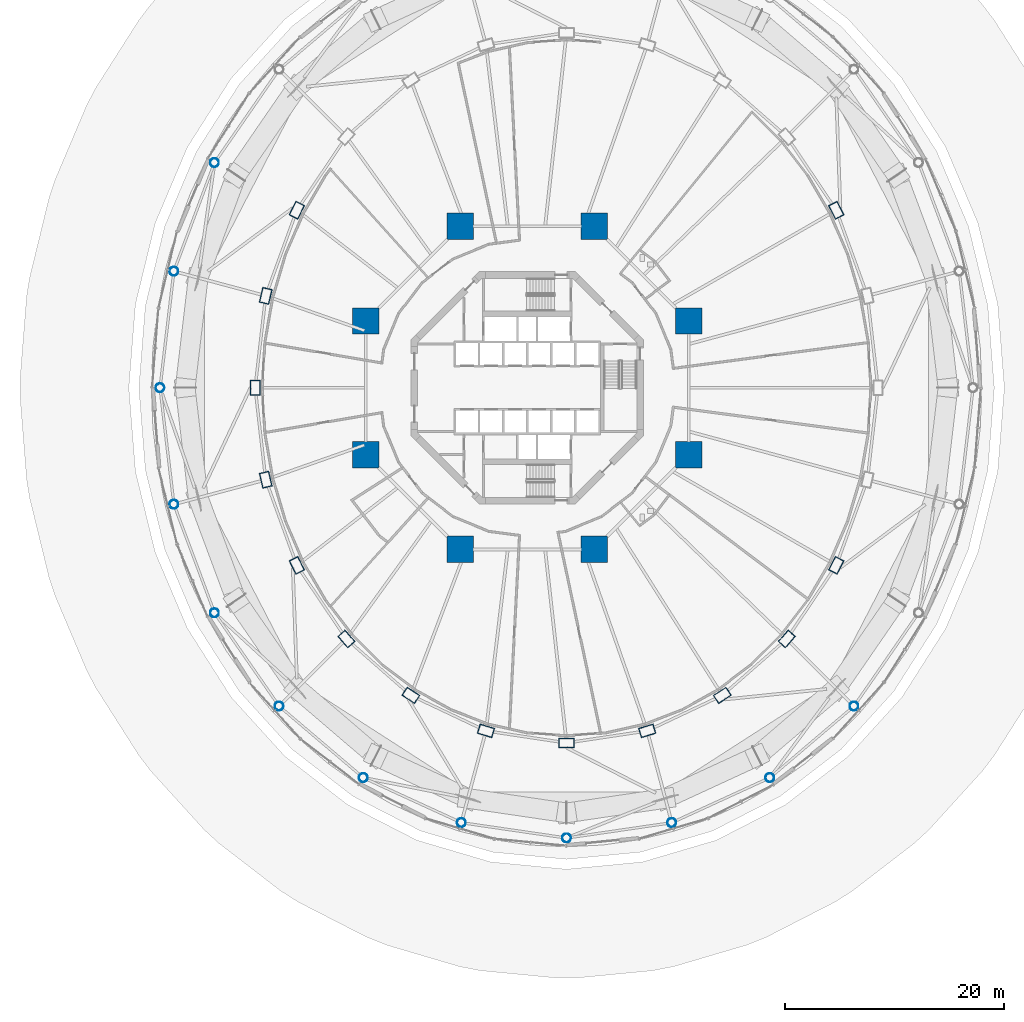
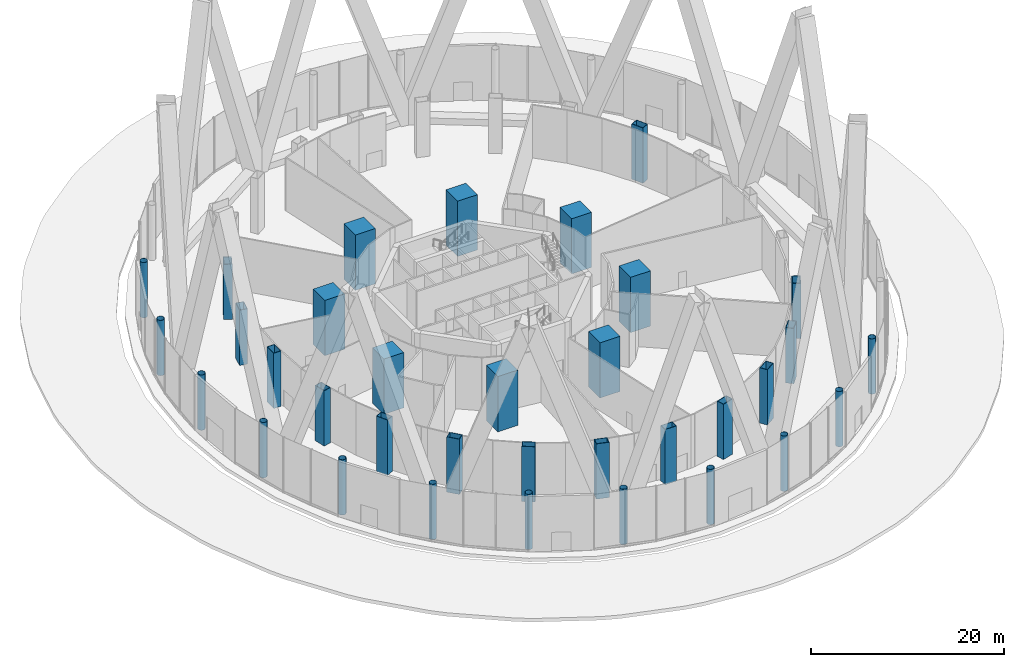
# One storey, part 1 of 67: 34 columns.
"""IFC4 building model written with IfcOpenShell, lengths in metres."""

from ifc_helpers import new_model, si_unit, direction, frame, origin, origin_2d, place, context, subcontext, project, spatial, rectangle, hollow_rectangle, hollow_circle, extrude, material, material_profile, profile_set, type_object, element, save


model = new_model("IFC4")

# Units and contexts
model_context = context("Model", 3, precision=1e-05, world=origin(), true_north=direction((0.0, 1.0)))
body_context = subcontext(model_context, "Body", "Model", "MODEL_VIEW")
ifc_project = project(units=[si_unit("LENGTHUNIT", "METRE"), si_unit("AREAUNIT", "SQUARE_METRE"), si_unit("VOLUMEUNIT", "CUBIC_METRE"), si_unit("PLANEANGLEUNIT", "RADIAN"), si_unit("MASSUNIT", "GRAM", prefix="KILO")], contexts=[model_context])

# Site, building, storey
site_placement = place(None, origin())
site = spatial("IfcSite", under=ifc_project, at=site_placement, CompositionType="ELEMENT")
building_placement = place(site_placement, origin())
building = spatial("IfcBuilding", under=site, at=building_placement, Name="Nagisa Residences", CompositionType="ELEMENT")
storey_placement = place(building_placement, origin())
storey = spatial("IfcBuildingStorey", under=building, at=storey_placement, Name="L00", CompositionType="ELEMENT", Elevation=0.0)

# Columns
ifc_material_1 = material(Name="Steel ASTM A572 Gr 65", Category="steel")
ifc_material_profile_1 = material_profile(ifc_material_1, hollow_circle(Radius=0.406494140625, WallThickness=0.02490234375, at=origin_2d()), Name="CHS 813x25")
ifc_profile_set_1 = profile_set([ifc_material_profile_1], Name="Steel ASTM A572 Gr 65")
column_type_1 = type_object("IfcColumnType", Name="Atrium column CHS 813x25", PredefinedType="COLUMN", material=ifc_profile_set_1)
for number, where, z_axis, x_axis, name in (
    (1, (-28.6162109375, 20.60009765625, 0.0), (0.0, 0.0, 1.0), (1.0, 0.0, 0.0), "col:L00:a10"),
    (2, (-32.33251953125, 10.663330078125, 0.0), (0.0, 0.0, 1.0), (1.0, 0.0, 0.0), "col:L00:a11"),
    (3, (-33.60009765625, 0.0, 0.0), (0.0, 0.0, 1.0), (1.0, 0.0, 0.0), "col:L00:a12"),
    (4, (-32.33251953125, -10.663330078125, 0.0), (0.0, 0.0, 1.0), (1.0, 0.0, 0.0), "col:L00:a13"),
    (5, (-28.6162109375, -20.60009765625, 0.0), (0.0, 0.0, 1.0), (1.0, 0.0, 0.0), "col:L00:a14"),
    (6, (-22.704345703125, -29.1328125, 0.0), (0.0, 0.0, 1.0), (1.0, 0.0, 0.0), "col:L00:a15"),
    (7, (-15.0, -35.68017578125, 0.0), (0.0, 0.0, 1.0), (1.0, 0.0, 0.0), "col:L00:a16"),
    (8, (-6.028076171875, -39.796142578125, 0.0), (0.0, 0.0, 1.0), (1.0, 0.0, 0.0), "col:L00:a17"),
    (9, (3.60009765625, -41.199951171875, 0.0), (0.0, 0.0, 1.0), (1.0, 0.0, 0.0), "col:L00:a18"),
    (10, (13.22802734375, -39.796142578125, 0.0), (0.0, 0.0, 1.0), (1.0, 0.0, 0.0), "col:L00:a19"),
    (11, (22.199951171875, -35.68017578125, 0.0), (0.0, 0.0, 1.0), (1.0, 0.0, 0.0), "col:L00:a20"),
    (12, (29.904296875, -29.1328125, 0.0), (0.0, 0.0, 1.0), (1.0, 0.0, 0.0), "col:L00:a21"),
):
    element("IfcColumn", number, at=place(storey_placement, frame(where, z_axis=z_axis, x_axis=x_axis)), inside=storey, type_object=column_type_1, Name=name, PredefinedType="COLUMN", context=body_context, shape_type="SweptSolid", body=[
        extrude(hollow_circle(Radius=0.406494140625, WallThickness=0.02490234375, at=origin_2d()), origin(), (0.0, 0.0, 1.0), 7.0),
    ])
ifc_material_2 = material(Name="Concrete C80", Category="concrete")
ifc_material_profile_2 = material_profile(ifc_material_2, rectangle(XDim=2.39990234375, YDim=2.39990234375, at=origin_2d()), Name="C80 2400x2400")
ifc_profile_set_2 = profile_set([ifc_material_profile_2], Name="Concrete C80")
column_type_2 = type_object("IfcColumnType", Name="Inner megacolumn C80 2400x2400", PredefinedType="COLUMN", material=ifc_profile_set_2)
for number, where, z_axis, x_axis, name in (
    (13, (14.781982421875, 6.123046875, 0.0), (0.0, 0.0, 1.0), (1.0, 0.0, 0.0), "col:L00:i1"),
    (14, (6.123046875, 14.781982421875, 0.0), (0.0, 0.0, 1.0), (1.0, 0.0, 0.0), "col:L00:i2"),
    (15, (-6.123046875, 14.781982421875, 0.0), (0.0, 0.0, 1.0), (1.0, 0.0, 0.0), "col:L00:i3"),
    (16, (-14.781982421875, 6.123046875, 0.0), (0.0, 0.0, 1.0), (1.0, 0.0, 0.0), "col:L00:i4"),
    (17, (-14.781982421875, -6.123046875, 0.0), (0.0, 0.0, 1.0), (1.0, 0.0, 0.0), "col:L00:i5"),
    (18, (-6.123046875, -14.781982421875, 0.0), (0.0, 0.0, 1.0), (1.0, 0.0, 0.0), "col:L00:i6"),
    (19, (6.123046875, -14.781982421875, 0.0), (0.0, 0.0, 1.0), (1.0, 0.0, 0.0), "col:L00:i7"),
    (20, (14.781982421875, -6.123046875, 0.0), (0.0, 0.0, 1.0), (1.0, 0.0, 0.0), "col:L00:i8"),
):
    element("IfcColumn", number, at=place(storey_placement, frame(where, z_axis=z_axis, x_axis=x_axis)), inside=storey, type_object=column_type_2, Name=name, PredefinedType="COLUMN", context=body_context, shape_type="SweptSolid", body=[
        extrude(rectangle(XDim=2.39990234375, YDim=2.39990234375, at=origin_2d()), origin(), (0.0, 0.0, 1.0), 7.0),
    ])
ifc_material_3 = material(Name="Steel ASTM A572 Gr 50", Category="steel")
ifc_material_profile_3 = material_profile(ifc_material_3, hollow_rectangle(XDim=1.39990234375, YDim=0.89990234375, WallThickness=0.050048828125, at=origin_2d()), Name="BX 1400x900x50")
ifc_profile_set_3 = profile_set([ifc_material_profile_3], Name="Steel ASTM A572 Gr 50")
column_type_3 = type_object("IfcColumnType", Name="Perimeter column BX 1400x900x50", PredefinedType="COLUMN", material=ifc_profile_set_3)
for number, where, z_axis, x_axis, name in (
    (21, (28.28173828125, 16.25, 0.0), (0.0, 0.0, 1.0), (-0.452462697578, 0.891783329795, 0.0), "col:L00:p02"),
    (22, (-21.081787109375, 16.25, 0.0), (0.0, 0.0, 1.0), (-0.452462697578, -0.891783329795, 0.0), "col:L00:p10"),
    (23, (-23.928955078125, 8.41162109375, 0.0), (0.0, 0.0, 1.0), (-0.229202013103, -0.973378876486, 0.0), "col:L00:p11"),
    (24, (-24.89990234375, 0.0, 0.0), (0.0, 0.0, 1.0), (0.0, -1.0, 0.0), "col:L00:p12"),
    (25, (-23.928955078125, -8.41162109375, 0.0), (0.0, 0.0, 1.0), (0.229202013103, -0.973378876486, 0.0), "col:L00:p13"),
    (26, (-21.081787109375, -16.25, 0.0), (0.0, 0.0, 1.0), (0.452462697578, -0.891783329795, 0.0), "col:L00:p14"),
    (27, (-16.552490234375, -22.98095703125, 0.0), (0.0, 0.0, 1.0), (0.660114607735, -0.751164898445, 0.0), "col:L00:p15"),
    (28, (-10.64990234375, -28.145751953125, 0.0), (0.0, 0.0, 1.0), (0.835766105673, -0.54908561865, 0.0), "col:L00:p16"),
    (29, (-3.7763671875, -31.392578125, 0.0), (0.0, 0.0, 1.0), (0.956524583408, -0.291651712384, 0.0), "col:L00:p17"),
    (30, (3.60009765625, -32.5, 0.0), (0.0, 0.0, 1.0), (1.0, 0.0, 0.0), "col:L00:p18"),
    (31, (10.976318359375, -31.392578125, 0.0), (0.0, 0.0, 1.0), (0.956524583408, 0.291651712384, 0.0), "col:L00:p19"),
    (32, (17.85009765625, -28.145751953125, 0.0), (0.0, 0.0, 1.0), (0.835766105673, 0.54908561865, 0.0), "col:L00:p20"),
    (33, (23.75244140625, -22.98095703125, 0.0), (0.0, 0.0, 1.0), (0.660114607735, 0.751164898445, 0.0), "col:L00:p21"),
    (34, (28.28173828125, -16.25, 0.0), (0.0, 0.0, 1.0), (0.452462697578, 0.891783329795, 0.0), "col:L00:p22"),
):
    element("IfcColumn", number, at=place(storey_placement, frame(where, z_axis=z_axis, x_axis=x_axis)), inside=storey, type_object=column_type_3, Name=name, PredefinedType="COLUMN", context=body_context, shape_type="SweptSolid", body=[
        extrude(hollow_rectangle(XDim=1.39990234375, YDim=0.89990234375, WallThickness=0.050048828125, at=origin_2d()), origin(), (0.0, 0.0, 1.0), 7.0),
    ])

save(model, "model.ifc")
